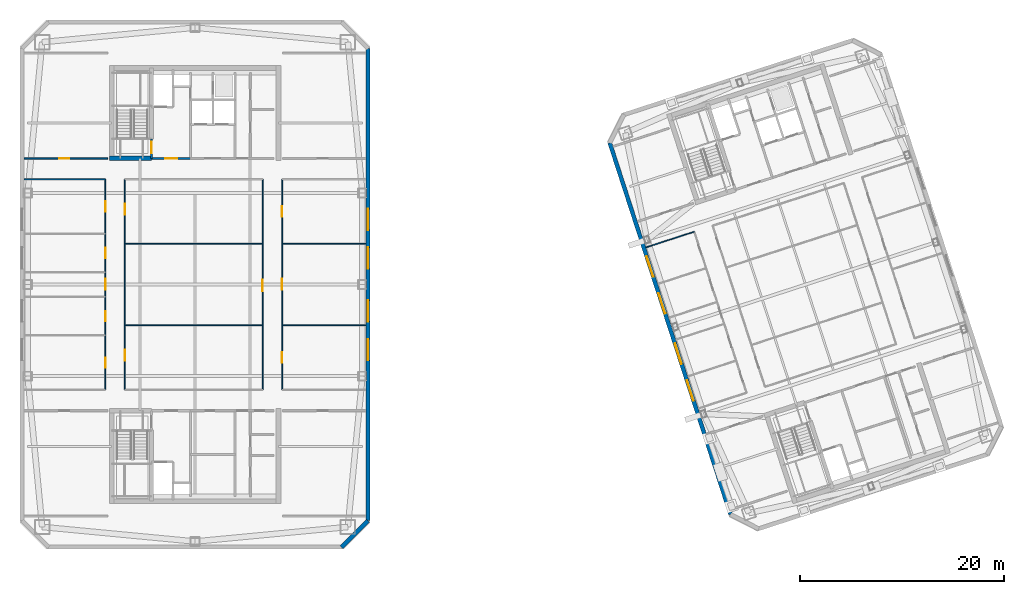
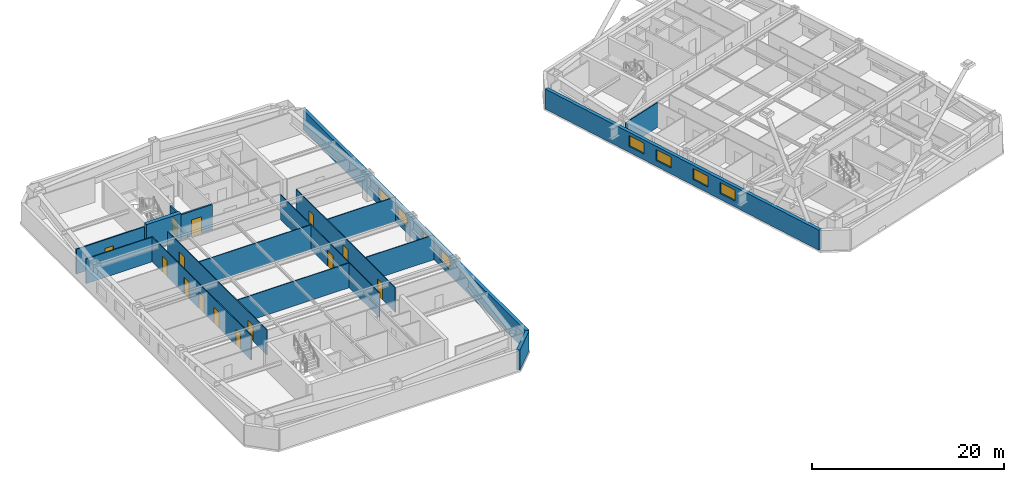
# One storey, part 7 of 15: 17 walls, 14 doors, 8 windows, 22 openings.
"""IFC4 building model written with IfcOpenShell, lengths in metres."""

from ifc_helpers import new_model, si_unit, direction, frame, frame_2d, origin, place, context, subcontext, project, spatial, rectangle, extrude, material, layer, layer_set, type_object, element, fill, save


model = new_model("IFC4")

# Units and contexts
model_context = context("Model", 3, precision=1e-05, world=origin(), true_north=direction((0.0, 1.0)))
body_context = subcontext(model_context, "Body", "Model", "MODEL_VIEW")
ifc_project = project(units=[si_unit("LENGTHUNIT", "METRE"), si_unit("AREAUNIT", "SQUARE_METRE"), si_unit("VOLUMEUNIT", "CUBIC_METRE"), si_unit("PLANEANGLEUNIT", "RADIAN"), si_unit("MASSUNIT", "GRAM", prefix="KILO")], contexts=[model_context])

# Site, building, storey
site_placement = place(None, origin())
site = spatial("IfcSite", under=ifc_project, at=site_placement, CompositionType="ELEMENT")
building_placement = place(site_placement, origin())
building = spatial("IfcBuilding", under=site, at=building_placement, Name="Qiaolan Cultural Towers", CompositionType="ELEMENT")
storey_placement = place(building_placement, frame((0.0, 0.0, 212.75)))
storey = spatial("IfcBuildingStorey", under=building, at=storey_placement, Name="L57", CompositionType="ELEMENT", Elevation=212.75)

# Wall
ifc_material_1 = material(Name="Concrete C50", Category="concrete")
ifc_layer_1 = layer(ifc_material_1, 0.449951171875)
ifc_layer_set_1 = layer_set([ifc_layer_1], Name="Concrete C50")
wall_type_1 = type_object("IfcWallType", Name="WL-CORE-450", PredefinedType="SHEAR", material=ifc_layer_set_1)
wall_1_placement = place(storey_placement, frame((21.574951171875, 46.39990234375, 0.0), z_axis=(0.0, 0.0, 1.0), x_axis=(1.0, 0.0, 0.0)))
element("IfcWall", 1, at=wall_1_placement, inside=storey, type_object=wall_type_1, Name="L57 T1-CN Stair Front Shear Wall", PredefinedType="SHEAR", context=body_context, shape_type="SweptSolid", body=[
    extrude(rectangle(XDim=4.14501953125, YDim=0.449951171875, at=frame_2d((2.072509765625, 0.0))), origin(), (0.0, 0.0, 1.0), 3.449951171875),
])

# Wall, openings, windows
ifc_material_2 = material(Name="Precast Concrete C50 Honed Stone Pier", Category="masonry")
ifc_layer_2 = layer(ifc_material_2, 0.39990234375)
ifc_layer_set_2 = layer_set([ifc_layer_2], Name="Precast Concrete C50 Honed Stone Pier")
wall_type_2 = type_object("IfcWallType", Name="WL-EXT-PIER-400", PredefinedType="SOLIDWALL", material=ifc_layer_set_2)
wall_2_placement = place(storey_placement, frame((47.0, 57.199951171875, 0.0), z_axis=(0.0, 0.0, 1.0), x_axis=(0.0, -1.0, 0.0)))
wall_2 = element("IfcWall", 2, at=wall_2_placement, inside=storey, type_object=wall_type_2, Name="L57 West Tower Precast Pier Facade Wall F5", PredefinedType="SOLIDWALL", context=body_context, shape_type="SweptSolid", body=[
    extrude(rectangle(XDim=46.39990234375, YDim=0.39990234375, at=frame_2d((23.199951171875, 0.0))), origin(), (0.0, 0.0, 1.0), 2.550048828125),
])
opening_1_placement = place(wall_2_placement, frame((28.550048828125, 0.0, 0.75)))
opening_1 = element("IfcOpeningElement", 3, at=opening_1_placement, cuts=wall_2, Name="Opening W-05", PredefinedType="OPENING", context=body_context, shape_type="SweptSolid", body=[
    extrude(rectangle(XDim=2.10009765625, YDim=1.39990234375, at=frame_2d((1.050048828125, 0.699951171875))), frame((0.0, 0.2099609375, 0.0), z_axis=(0.0, -1.0, 0.0), x_axis=(1.0, 0.0, 0.0)), (0.0, 0.0, 1.0), 0.419921875),
])
opening_2_placement = place(wall_2_placement, frame((24.75, 0.0, 0.75)))
opening_2 = element("IfcOpeningElement", 4, at=opening_2_placement, cuts=wall_2, Name="Opening W-05", PredefinedType="OPENING", context=body_context, shape_type="SweptSolid", body=[
    extrude(rectangle(XDim=2.10009765625, YDim=1.39990234375, at=frame_2d((1.050048828125, 0.699951171875))), frame((0.0, 0.2099609375, 0.0), z_axis=(0.0, -1.0, 0.0), x_axis=(1.0, 0.0, 0.0)), (0.0, 0.0, 1.0), 0.419921875),
])
opening_3_placement = place(wall_2_placement, frame((19.550048828125, 0.0, 0.75)))
opening_3 = element("IfcOpeningElement", 5, at=opening_3_placement, cuts=wall_2, Name="Opening W-05", PredefinedType="OPENING", context=body_context, shape_type="SweptSolid", body=[
    extrude(rectangle(XDim=2.10009765625, YDim=1.39990234375, at=frame_2d((1.050048828125, 0.699951171875))), frame((0.0, 0.2099609375, 0.0), z_axis=(0.0, -1.0, 0.0), x_axis=(1.0, 0.0, 0.0)), (0.0, 0.0, 1.0), 0.419921875),
])
opening_4_placement = place(wall_2_placement, frame((15.75, 0.0, 0.75)))
opening_4 = element("IfcOpeningElement", 6, at=opening_4_placement, cuts=wall_2, Name="Opening W-05", PredefinedType="OPENING", context=body_context, shape_type="SweptSolid", body=[
    extrude(rectangle(XDim=2.10009765625, YDim=1.39990234375, at=frame_2d((1.050048828125, 0.699951171875))), frame((0.0, 0.2099609375, 0.0), z_axis=(0.0, -1.0, 0.0), x_axis=(1.0, 0.0, 0.0)), (0.0, 0.0, 1.0), 0.419921875),
])
ifc_material_3 = material(Name="Thermally Broken Aluminium Triple Low-E Glazing", Category="aluminium")
window_type = type_object("IfcWindowType", Name="WN-CHIC-2100", PartitioningType="SINGLE_PANEL", PredefinedType="WINDOW", material=ifc_material_3)
window_1_placement = place(opening_1_placement, origin())
window_1 = element("IfcWindow", 7, at=window_1_placement, inside=storey, type_object=window_type, Name="L57 T1 E Chicago Bay Window 1", OverallHeight=1.39990234375, OverallWidth=2.10009765625, PartitioningType="TRIPLE_PANEL_VERTICAL", PredefinedType="WINDOW", context=body_context, shape_type="SweptSolid", body=[
    extrude(rectangle(XDim=2.10009765625, YDim=1.39990234375, at=frame_2d((1.050048828125, 0.699951171875))), frame((0.0, 0.030029296875, 0.0), z_axis=(0.0, -1.0, 0.0), x_axis=(1.0, 0.0, 0.0)), (0.0, 0.0, 1.0), 0.06005859375),
])
fill(opening_1, window_1)
window_2_placement = place(opening_2_placement, origin())
window_2 = element("IfcWindow", 8, at=window_2_placement, inside=storey, type_object=window_type, Name="L57 T1 E Chicago Bay Window 2", OverallHeight=1.39990234375, OverallWidth=2.10009765625, PartitioningType="TRIPLE_PANEL_VERTICAL", PredefinedType="WINDOW", context=body_context, shape_type="SweptSolid", body=[
    extrude(rectangle(XDim=2.10009765625, YDim=1.39990234375, at=frame_2d((1.050048828125, 0.699951171875))), frame((0.0, 0.030029296875, 0.0), z_axis=(0.0, -1.0, 0.0), x_axis=(1.0, 0.0, 0.0)), (0.0, 0.0, 1.0), 0.06005859375),
])
fill(opening_2, window_2)
window_3_placement = place(opening_3_placement, origin())
window_3 = element("IfcWindow", 9, at=window_3_placement, inside=storey, type_object=window_type, Name="L57 T1 E Chicago Bay Window 3", OverallHeight=1.39990234375, OverallWidth=2.10009765625, PartitioningType="TRIPLE_PANEL_VERTICAL", PredefinedType="WINDOW", context=body_context, shape_type="SweptSolid", body=[
    extrude(rectangle(XDim=2.10009765625, YDim=1.39990234375, at=frame_2d((1.050048828125, 0.699951171875))), frame((0.0, 0.030029296875, 0.0), z_axis=(0.0, -1.0, 0.0), x_axis=(1.0, 0.0, 0.0)), (0.0, 0.0, 1.0), 0.06005859375),
])
fill(opening_3, window_3)
window_4_placement = place(opening_4_placement, origin())
window_4 = element("IfcWindow", 10, at=window_4_placement, inside=storey, type_object=window_type, Name="L57 T1 E Chicago Bay Window 4", OverallHeight=1.39990234375, OverallWidth=2.10009765625, PartitioningType="TRIPLE_PANEL_VERTICAL", PredefinedType="WINDOW", context=body_context, shape_type="SweptSolid", body=[
    extrude(rectangle(XDim=2.10009765625, YDim=1.39990234375, at=frame_2d((1.050048828125, 0.699951171875))), frame((0.0, 0.030029296875, 0.0), z_axis=(0.0, -1.0, 0.0), x_axis=(1.0, 0.0, 0.0)), (0.0, 0.0, 1.0), 0.06005859375),
])
fill(opening_4, window_4)

# Wall
wall_3_placement = place(storey_placement, frame((47.0, 10.800048828125, 0.0), z_axis=(0.0, 0.0, 1.0), x_axis=(-0.707106781187, -0.707106781187, 0.0)))
element("IfcWall", 11, at=wall_3_placement, inside=storey, type_object=wall_type_2, Name="L57 West Tower Precast Pier Facade Wall F6", PredefinedType="SOLIDWALL", context=body_context, shape_type="SweptSolid", body=[
    extrude(rectangle(XDim=3.677001953125, YDim=0.39990234375, at=frame_2d((1.83837890625, 0.0))), origin(), (0.0, 0.0, 1.0), 2.550048828125),
])

# Wall, openings, windows
wall_4_placement = place(storey_placement, frame((82.618408203125, 11.41357421875, 0.0), z_axis=(0.0, 0.0, 1.0), x_axis=(-0.309016491071, 0.951056679828, 0.0)))
wall_4 = element("IfcWall", 12, at=wall_4_placement, inside=storey, type_object=wall_type_2, Name="L57 East Tower Precast Pier Facade Wall F1", PredefinedType="SOLIDWALL", context=body_context, shape_type="SweptSolid", body=[
    extrude(rectangle(XDim=38.39990234375, YDim=0.39990234375, at=frame_2d((19.199951171875, 0.0))), origin(), (0.0, 0.0, 1.0), 2.550048828125),
])
opening_5_placement = place(wall_4_placement, frame((11.75, 0.0, 0.75)))
opening_5 = element("IfcOpeningElement", 13, at=opening_5_placement, cuts=wall_4, Name="Opening W-05", PredefinedType="OPENING", context=body_context, shape_type="SweptSolid", body=[
    extrude(rectangle(XDim=2.10009765625, YDim=1.39990234375, at=frame_2d((1.050048828125, 0.699951171875))), frame((0.0, 0.2099609375, 0.0), z_axis=(0.0, -1.0, 0.0), x_axis=(1.0, 0.0, 0.0)), (0.0, 0.0, 1.0), 0.419921875),
])
opening_6_placement = place(wall_4_placement, frame((15.550048828125, 0.0, 0.75)))
opening_6 = element("IfcOpeningElement", 14, at=opening_6_placement, cuts=wall_4, Name="Opening W-05", PredefinedType="OPENING", context=body_context, shape_type="SweptSolid", body=[
    extrude(rectangle(XDim=2.10009765625, YDim=1.39990234375, at=frame_2d((1.050048828125, 0.699951171875))), frame((0.0, 0.2099609375, 0.0), z_axis=(0.0, -1.0, 0.0), x_axis=(1.0, 0.0, 0.0)), (0.0, 0.0, 1.0), 0.419921875),
])
opening_7_placement = place(wall_4_placement, frame((20.75, 0.0, 0.75)))
opening_7 = element("IfcOpeningElement", 15, at=opening_7_placement, cuts=wall_4, Name="Opening W-05", PredefinedType="OPENING", context=body_context, shape_type="SweptSolid", body=[
    extrude(rectangle(XDim=2.10009765625, YDim=1.39990234375, at=frame_2d((1.050048828125, 0.699951171875))), frame((0.0, 0.2099609375, 0.0), z_axis=(0.0, -1.0, 0.0), x_axis=(1.0, 0.0, 0.0)), (0.0, 0.0, 1.0), 0.419921875),
])
opening_8_placement = place(wall_4_placement, frame((24.550048828125, 0.0, 0.75)))
opening_8 = element("IfcOpeningElement", 16, at=opening_8_placement, cuts=wall_4, Name="Opening W-05", PredefinedType="OPENING", context=body_context, shape_type="SweptSolid", body=[
    extrude(rectangle(XDim=2.10009765625, YDim=1.39990234375, at=frame_2d((1.050048828125, 0.699951171875))), frame((0.0, 0.2099609375, 0.0), z_axis=(0.0, -1.0, 0.0), x_axis=(1.0, 0.0, 0.0)), (0.0, 0.0, 1.0), 0.419921875),
])
window_5_placement = place(opening_5_placement, origin())
window_5 = element("IfcWindow", 17, at=window_5_placement, inside=storey, type_object=window_type, Name="L57 T2 W Chicago Bay Window 1", OverallHeight=1.39990234375, OverallWidth=2.10009765625, PartitioningType="TRIPLE_PANEL_VERTICAL", PredefinedType="WINDOW", context=body_context, shape_type="SweptSolid", body=[
    extrude(rectangle(XDim=2.10009765625, YDim=1.39990234375, at=frame_2d((1.050048828125, 0.699951171875))), frame((0.0, 0.030029296875, 0.0), z_axis=(0.0, -1.0, 0.0), x_axis=(1.0, 0.0, 0.0)), (0.0, 0.0, 1.0), 0.06005859375),
])
fill(opening_5, window_5)
window_6_placement = place(opening_6_placement, origin())
window_6 = element("IfcWindow", 18, at=window_6_placement, inside=storey, type_object=window_type, Name="L57 T2 W Chicago Bay Window 2", OverallHeight=1.39990234375, OverallWidth=2.10009765625, PartitioningType="TRIPLE_PANEL_VERTICAL", PredefinedType="WINDOW", context=body_context, shape_type="SweptSolid", body=[
    extrude(rectangle(XDim=2.10009765625, YDim=1.39990234375, at=frame_2d((1.050048828125, 0.699951171875))), frame((0.0, 0.030029296875, 0.0), z_axis=(0.0, -1.0, 0.0), x_axis=(1.0, 0.0, 0.0)), (0.0, 0.0, 1.0), 0.06005859375),
])
fill(opening_6, window_6)
window_7_placement = place(opening_7_placement, origin())
window_7 = element("IfcWindow", 19, at=window_7_placement, inside=storey, type_object=window_type, Name="L57 T2 W Chicago Bay Window 3", OverallHeight=1.39990234375, OverallWidth=2.10009765625, PartitioningType="TRIPLE_PANEL_VERTICAL", PredefinedType="WINDOW", context=body_context, shape_type="SweptSolid", body=[
    extrude(rectangle(XDim=2.10009765625, YDim=1.39990234375, at=frame_2d((1.050048828125, 0.699951171875))), frame((0.0, 0.030029296875, 0.0), z_axis=(0.0, -1.0, 0.0), x_axis=(1.0, 0.0, 0.0)), (0.0, 0.0, 1.0), 0.06005859375),
])
fill(opening_7, window_7)
window_8_placement = place(opening_8_placement, origin())
window_8 = element("IfcWindow", 20, at=window_8_placement, inside=storey, type_object=window_type, Name="L57 T2 W Chicago Bay Window 4", OverallHeight=1.39990234375, OverallWidth=2.10009765625, PartitioningType="TRIPLE_PANEL_VERTICAL", PredefinedType="WINDOW", context=body_context, shape_type="SweptSolid", body=[
    extrude(rectangle(XDim=2.10009765625, YDim=1.39990234375, at=frame_2d((1.050048828125, 0.699951171875))), frame((0.0, 0.030029296875, 0.0), z_axis=(0.0, -1.0, 0.0), x_axis=(1.0, 0.0, 0.0)), (0.0, 0.0, 1.0), 0.06005859375),
])
fill(opening_8, window_8)

# Wall, opening, door
ifc_material_4 = material(Name="Concrete C35 Fire Wall", Category="concrete")
ifc_layer_3 = layer(ifc_material_4, 0.199951171875)
ifc_layer_set_3 = layer_set([ifc_layer_3], Name="Concrete C35 Fire Wall")
wall_type_3 = type_object("IfcWallType", Name="WL-FIRE-200", PredefinedType="PARTITIONING", material=ifc_layer_set_3)
wall_5_placement = place(storey_placement, frame((25.719970703125, 46.39990234375, 0.0), z_axis=(0.0, 0.0, 1.0), x_axis=(0.0, 1.0, 0.0)))
wall_5 = element("IfcWall", 21, at=wall_5_placement, inside=storey, type_object=wall_type_3, Name="L57 T1-CN Smokeproof Stair Entry Wall", PredefinedType="PARTITIONING", context=body_context, shape_type="SweptSolid", body=[
    extrude(rectangle(XDim=1.900146484375, YDim=0.199951171875, at=frame_2d((0.9501953125, 0.0))), origin(), (0.0, 0.0, 1.0), 3.155029296875),
])
opening_9_placement = place(wall_5_placement, frame((0.52001953125, 0.0, 0.0)))
opening_9 = element("IfcOpeningElement", 22, at=opening_9_placement, cuts=wall_5, Name="Opening FD-04", PredefinedType="OPENING", context=body_context, shape_type="SweptSolid", body=[
    extrude(rectangle(XDim=1.10009765625, YDim=2.050048828125, at=frame_2d((0.550048828125, 1.02490234375))), frame((0.0, 0.10986328125, 0.0), z_axis=(0.0, -1.0, 0.0), x_axis=(1.0, 0.0, 0.0)), (0.0, 0.0, 1.0), 0.219970703125),
])
ifc_material_5 = material(Name="Galvanized Steel Command Fire Door", Category="steel")
door_type_1 = type_object("IfcDoorType", Name="DR-FD90-1100", OperationType="NOTDEFINED", PredefinedType="DOOR", material=ifc_material_5)
door_1_placement = place(opening_9_placement, origin())
door_1 = element("IfcDoor", 23, at=door_1_placement, inside=storey, type_object=door_type_1, Name="L57 ST-W2 Smokeproof Stair Fire Door", OperationType="SINGLE_SWING_LEFT", OverallHeight=2.050048828125, OverallWidth=1.10009765625, PredefinedType="DOOR", context=body_context, shape_type="SweptSolid", body=[
    extrude(rectangle(XDim=1.10009765625, YDim=2.050048828125, at=frame_2d((0.550048828125, 1.02490234375))), frame((0.0, 0.02490234375, 0.0), z_axis=(0.0, -1.0, 0.0), x_axis=(1.0, 0.0, 0.0)), (0.0, 0.0, 1.0), 0.050048828125),
])
fill(opening_9, door_1)

wall_6_placement = place(storey_placement, frame((25.719970703125, 46.39990234375, 0.0), z_axis=(0.0, 0.0, 1.0), x_axis=(1.0, 0.0, 0.0)))
wall_6 = element("IfcWall", 24, at=wall_6_placement, inside=storey, type_object=wall_type_3, Name="L57 T1-CN Firefighting Lobby Front Wall", PredefinedType="PARTITIONING", context=body_context, shape_type="SweptSolid", body=[
    extrude(rectangle(XDim=3.830078125, YDim=0.199951171875, at=frame_2d((1.9150390625, 0.0))), origin(), (0.0, 0.0, 1.0), 3.155029296875),
])
opening_10_placement = place(wall_6_placement, frame((1.35009765625, 0.0, 0.0)))
opening_10 = element("IfcOpeningElement", 25, at=opening_10_placement, cuts=wall_6, Name="Opening FD-03", PredefinedType="OPENING", context=body_context, shape_type="SweptSolid", body=[
    extrude(rectangle(XDim=1.199951171875, YDim=2.050048828125, at=frame_2d((0.60009765625, 1.02490234375))), frame((0.0, 0.10986328125, 0.0), z_axis=(0.0, -1.0, 0.0), x_axis=(1.0, 0.0, 0.0)), (0.0, 0.0, 1.0), 0.219970703125),
])
ifc_material_6 = material(Name="Galvanized Steel Smokeproof Lobby Fire Door", Category="steel")
door_type_2 = type_object("IfcDoorType", Name="DR-FD90-1200", OperationType="NOTDEFINED", PredefinedType="DOOR", material=ifc_material_6)
door_2_placement = place(opening_10_placement, origin())
door_2 = element("IfcDoor", 26, at=door_2_placement, inside=storey, type_object=door_type_2, Name="L57 FFL-W2 Firefighting Lobby Fire Door", OperationType="SINGLE_SWING_LEFT", OverallHeight=2.050048828125, OverallWidth=1.199951171875, PredefinedType="DOOR", context=body_context, shape_type="SweptSolid", body=[
    extrude(rectangle(XDim=1.199951171875, YDim=2.050048828125, at=frame_2d((0.60009765625, 1.02490234375))), frame((0.0, 0.02490234375, 0.0), z_axis=(0.0, -1.0, 0.0), x_axis=(1.0, 0.0, 0.0)), (0.0, 0.0, 1.0), 0.050048828125),
])
fill(opening_10, door_2)

# Wall
ifc_material_7 = material(Name="Acoustic Double-Glazed Partition Frame", Category="glass")
ifc_layer_4 = layer(ifc_material_7, 0.10009765625)
ifc_layer_set_4 = layer_set([ifc_layer_4], Name="Acoustic Double-Glazed Partition Frame")
wall_type_4 = type_object("IfcWallType", Name="WL-GLAZED-100", PredefinedType="MOVABLE", material=ifc_layer_set_4)
wall_7_placement = place(storey_placement, frame((13.199951171875, 44.35009765625, 0.0), z_axis=(0.0, 0.0, 1.0), x_axis=(1.0, 0.0, 0.0)))
element("IfcWall", 27, at=wall_7_placement, inside=storey, type_object=wall_type_4, Name="L57 T1 Interior Wall", PredefinedType="MOVABLE", context=body_context, shape_type="SweptSolid", body=[
    extrude(rectangle(XDim=8.0, YDim=0.10009765625, at=frame_2d((4.0, 0.0))), origin(), (0.0, 0.0, 1.0), 3.155029296875),
])

# Wall, openings, doors
wall_8_placement = place(storey_placement, frame((21.199951171875, 23.64990234375, 0.0), z_axis=(0.0, 0.0, 1.0), x_axis=(0.0, 1.0, 0.0)))
wall_8 = element("IfcWall", 28, at=wall_8_placement, inside=storey, type_object=wall_type_4, Name="L57 T1 Interior Wall", PredefinedType="MOVABLE", context=body_context, shape_type="SweptSolid", body=[
    extrude(rectangle(XDim=20.7001953125, YDim=0.10009765625, at=frame_2d((10.35009765625, 0.0))), origin(), (0.0, 0.0, 1.0), 3.155029296875),
])
opening_11_placement = place(wall_8_placement, frame((2.175048828125, 0.0, 0.0)))
opening_11 = element("IfcOpeningElement", 29, at=opening_11_placement, cuts=wall_8, Name="Opening ID-04", PredefinedType="OPENING", context=body_context, shape_type="SweptSolid", body=[
    extrude(rectangle(XDim=1.0, YDim=2.050048828125, at=frame_2d((0.5, 1.02490234375))), frame((0.0, 0.06005859375, 0.0), z_axis=(0.0, -1.0, 0.0), x_axis=(1.0, 0.0, 0.0)), (0.0, 0.0, 1.0), 0.1201171875),
])
opening_12_placement = place(wall_8_placement, frame((6.75, 0.0, 0.0)))
opening_12 = element("IfcOpeningElement", 30, at=opening_12_placement, cuts=wall_8, Name="Opening ID-04", PredefinedType="OPENING", context=body_context, shape_type="SweptSolid", body=[
    extrude(rectangle(XDim=1.0, YDim=2.050048828125, at=frame_2d((0.5, 1.02490234375))), frame((0.0, 0.06005859375, 0.0), z_axis=(0.0, -1.0, 0.0), x_axis=(1.0, 0.0, 0.0)), (0.0, 0.0, 1.0), 0.1201171875),
])
opening_13_placement = place(wall_8_placement, frame((9.85009765625, 0.0, 0.0)))
opening_13 = element("IfcOpeningElement", 31, at=opening_13_placement, cuts=wall_8, Name="Opening ID-07", PredefinedType="OPENING", context=body_context, shape_type="SweptSolid", body=[
    extrude(rectangle(XDim=1.050048828125, YDim=2.050048828125, at=frame_2d((0.52490234375, 1.02490234375))), frame((0.0, 0.06005859375, 0.0), z_axis=(0.0, -1.0, 0.0), x_axis=(1.0, 0.0, 0.0)), (0.0, 0.0, 1.0), 0.1201171875),
])
opening_14_placement = place(wall_8_placement, frame((12.949951171875, 0.0, 0.0)))
opening_14 = element("IfcOpeningElement", 32, at=opening_14_placement, cuts=wall_8, Name="Opening ID-04", PredefinedType="OPENING", context=body_context, shape_type="SweptSolid", body=[
    extrude(rectangle(XDim=1.0, YDim=2.050048828125, at=frame_2d((0.5, 1.02490234375))), frame((0.0, 0.06005859375, 0.0), z_axis=(0.0, -1.0, 0.0), x_axis=(1.0, 0.0, 0.0)), (0.0, 0.0, 1.0), 0.1201171875),
])
opening_15_placement = place(wall_8_placement, frame((17.52490234375, 0.0, 0.0)))
opening_15 = element("IfcOpeningElement", 33, at=opening_15_placement, cuts=wall_8, Name="Opening ID-04", PredefinedType="OPENING", context=body_context, shape_type="SweptSolid", body=[
    extrude(rectangle(XDim=1.0, YDim=2.050048828125, at=frame_2d((0.5, 1.02490234375))), frame((0.0, 0.06005859375, 0.0), z_axis=(0.0, -1.0, 0.0), x_axis=(1.0, 0.0, 0.0)), (0.0, 0.0, 1.0), 0.1201171875),
])
ifc_material_8 = material(Name="Oak Veneer Acoustic Office Door", Category="timber")
door_type_3 = type_object("IfcDoorType", Name="DR-INT-1000", OperationType="NOTDEFINED", PredefinedType="DOOR", material=ifc_material_8)
door_3_placement = place(opening_11_placement, origin())
door_3 = element("IfcDoor", 34, at=door_3_placement, inside=storey, type_object=door_type_3, Name="L57 T1 Wellness & Meditation Room Door", OperationType="SINGLE_SWING_LEFT", OverallHeight=2.050048828125, OverallWidth=1.0, PredefinedType="DOOR", context=body_context, shape_type="SweptSolid", body=[
    extrude(rectangle(XDim=1.0, YDim=2.050048828125, at=frame_2d((0.5, 1.02490234375))), frame((0.0, 0.02490234375, 0.0), z_axis=(0.0, -1.0, 0.0), x_axis=(1.0, 0.0, 0.0)), (0.0, 0.0, 1.0), 0.050048828125),
])
fill(opening_11, door_3)
door_4_placement = place(opening_12_placement, origin())
door_4 = element("IfcDoor", 35, at=door_4_placement, inside=storey, type_object=door_type_3, Name="L57 T1 Wellness & Meditation Room Door", OperationType="SINGLE_SWING_RIGHT", OverallHeight=2.050048828125, OverallWidth=1.0, PredefinedType="DOOR", context=body_context, shape_type="SweptSolid", body=[
    extrude(rectangle(XDim=1.0, YDim=2.050048828125, at=frame_2d((0.5, 1.02490234375))), frame((0.0, 0.02490234375, 0.0), z_axis=(0.0, -1.0, 0.0), x_axis=(1.0, 0.0, 0.0)), (0.0, 0.0, 1.0), 0.050048828125),
])
fill(opening_12, door_4)
door_5_placement = place(opening_14_placement, origin())
door_5 = element("IfcDoor", 36, at=door_5_placement, inside=storey, type_object=door_type_3, Name="L57 T1 Tea Preparation Room Door", OperationType="SINGLE_SWING_RIGHT", OverallHeight=2.050048828125, OverallWidth=1.0, PredefinedType="DOOR", context=body_context, shape_type="SweptSolid", body=[
    extrude(rectangle(XDim=1.0, YDim=2.050048828125, at=frame_2d((0.5, 1.02490234375))), frame((0.0, 0.02490234375, 0.0), z_axis=(0.0, -1.0, 0.0), x_axis=(1.0, 0.0, 0.0)), (0.0, 0.0, 1.0), 0.050048828125),
])
fill(opening_14, door_5)
door_6_placement = place(opening_15_placement, origin())
door_6 = element("IfcDoor", 37, at=door_6_placement, inside=storey, type_object=door_type_3, Name="L57 T1 Quiet Lounge Door", OperationType="SINGLE_SWING_LEFT", OverallHeight=2.050048828125, OverallWidth=1.0, PredefinedType="DOOR", context=body_context, shape_type="SweptSolid", body=[
    extrude(rectangle(XDim=1.0, YDim=2.050048828125, at=frame_2d((0.5, 1.02490234375))), frame((0.0, 0.02490234375, 0.0), z_axis=(0.0, -1.0, 0.0), x_axis=(1.0, 0.0, 0.0)), (0.0, 0.0, 1.0), 0.050048828125),
])
fill(opening_15, door_6)
ifc_material_9 = material(Name="Oak Veneer Consultation Door", Category="timber")
door_type_4 = type_object("IfcDoorType", Name="DR-INT-1050", OperationType="NOTDEFINED", PredefinedType="DOOR", material=ifc_material_9)
door_7_placement = place(opening_13_placement, origin())
door_7 = element("IfcDoor", 38, at=door_7_placement, inside=storey, type_object=door_type_4, Name="L57 T1 Tea Preparation Room Door", OperationType="SINGLE_SWING_LEFT", OverallHeight=2.050048828125, OverallWidth=1.050048828125, PredefinedType="DOOR", context=body_context, shape_type="SweptSolid", body=[
    extrude(rectangle(XDim=1.050048828125, YDim=2.050048828125, at=frame_2d((0.52490234375, 1.02490234375))), frame((0.0, 0.02490234375, 0.0), z_axis=(0.0, -1.0, 0.0), x_axis=(1.0, 0.0, 0.0)), (0.0, 0.0, 1.0), 0.050048828125),
])
fill(opening_13, door_7)

wall_9_placement = place(storey_placement, frame((23.10009765625, 23.64990234375, 0.0), z_axis=(0.0, 0.0, 1.0), x_axis=(0.0, 1.0, 0.0)))
wall_9 = element("IfcWall", 39, at=wall_9_placement, inside=storey, type_object=wall_type_4, Name="L57 T1 Interior Wall", PredefinedType="MOVABLE", context=body_context, shape_type="SweptSolid", body=[
    extrude(rectangle(XDim=20.7001953125, YDim=0.10009765625, at=frame_2d((10.35009765625, 0.0))), origin(), (0.0, 0.0, 1.0), 3.155029296875),
])
opening_16_placement = place(wall_9_placement, frame((2.857421875, 0.0, 0.0)))
opening_16 = element("IfcOpeningElement", 40, at=opening_16_placement, cuts=wall_9, Name="Opening ID-03", PredefinedType="OPENING", context=body_context, shape_type="SweptSolid", body=[
    extrude(rectangle(XDim=1.10009765625, YDim=2.050048828125, at=frame_2d((0.550048828125, 1.02490234375))), frame((0.0, 0.06005859375, 0.0), z_axis=(0.0, -1.0, 0.0), x_axis=(1.0, 0.0, 0.0)), (0.0, 0.0, 1.0), 0.1201171875),
])
opening_17_placement = place(wall_9_placement, frame((17.20751953125, 0.0, 0.0)))
opening_17 = element("IfcOpeningElement", 41, at=opening_17_placement, cuts=wall_9, Name="Opening ID-03", PredefinedType="OPENING", context=body_context, shape_type="SweptSolid", body=[
    extrude(rectangle(XDim=1.10009765625, YDim=2.050048828125, at=frame_2d((0.550048828125, 1.02490234375))), frame((0.0, 0.06005859375, 0.0), z_axis=(0.0, -1.0, 0.0), x_axis=(1.0, 0.0, 0.0)), (0.0, 0.0, 1.0), 0.1201171875),
])
ifc_material_10 = material(Name="Oak Veneer Solid-Core Boardroom Door", Category="timber")
door_type_5 = type_object("IfcDoorType", Name="DR-INT-1100", OperationType="NOTDEFINED", PredefinedType="DOOR", material=ifc_material_10)
door_8_placement = place(opening_16_placement, origin())
door_8 = element("IfcDoor", 42, at=door_8_placement, inside=storey, type_object=door_type_5, Name="L57 T1 Central Boardroom Door", OperationType="SINGLE_SWING_LEFT", OverallHeight=2.050048828125, OverallWidth=1.10009765625, PredefinedType="DOOR", context=body_context, shape_type="SweptSolid", body=[
    extrude(rectangle(XDim=1.10009765625, YDim=2.050048828125, at=frame_2d((0.550048828125, 1.02490234375))), frame((0.0, 0.02490234375, 0.0), z_axis=(0.0, -1.0, 0.0), x_axis=(1.0, 0.0, 0.0)), (0.0, 0.0, 1.0), 0.050048828125),
])
fill(opening_16, door_8)
door_9_placement = place(opening_17_placement, origin())
door_9 = element("IfcDoor", 43, at=door_9_placement, inside=storey, type_object=door_type_5, Name="L57 T1 Central Archive Room Door", OperationType="SINGLE_SWING_RIGHT", OverallHeight=2.050048828125, OverallWidth=1.10009765625, PredefinedType="DOOR", context=body_context, shape_type="SweptSolid", body=[
    extrude(rectangle(XDim=1.10009765625, YDim=2.050048828125, at=frame_2d((0.550048828125, 1.02490234375))), frame((0.0, 0.02490234375, 0.0), z_axis=(0.0, -1.0, 0.0), x_axis=(1.0, 0.0, 0.0)), (0.0, 0.0, 1.0), 0.050048828125),
])
fill(opening_17, door_9)

# Wall, opening, door
wall_10_placement = place(storey_placement, frame((36.64990234375, 23.64990234375, 0.0), z_axis=(0.0, 0.0, 1.0), x_axis=(0.0, 1.0, 0.0)))
wall_10 = element("IfcWall", 44, at=wall_10_placement, inside=storey, type_object=wall_type_4, Name="L57 T1 Interior Wall", PredefinedType="MOVABLE", context=body_context, shape_type="SweptSolid", body=[
    extrude(rectangle(XDim=20.7001953125, YDim=0.10009765625, at=frame_2d((10.35009765625, 0.0))), origin(), (0.0, 0.0, 1.0), 3.155029296875),
])
opening_18_placement = place(wall_10_placement, frame((9.7099609375, 0.0, 0.0)))
opening_18 = element("IfcOpeningElement", 45, at=opening_18_placement, cuts=wall_10, Name="Opening ID-03", PredefinedType="OPENING", context=body_context, shape_type="SweptSolid", body=[
    extrude(rectangle(XDim=1.10009765625, YDim=2.050048828125, at=frame_2d((0.550048828125, 1.02490234375))), frame((0.0, 0.06005859375, 0.0), z_axis=(0.0, -1.0, 0.0), x_axis=(1.0, 0.0, 0.0)), (0.0, 0.0, 1.0), 0.1201171875),
])
door_10_placement = place(opening_18_placement, origin())
door_10 = element("IfcDoor", 46, at=door_10_placement, inside=storey, type_object=door_type_5, Name="L57 T1 Central Study Salon Door", OperationType="SINGLE_SWING_LEFT", OverallHeight=2.050048828125, OverallWidth=1.10009765625, PredefinedType="DOOR", context=body_context, shape_type="SweptSolid", body=[
    extrude(rectangle(XDim=1.10009765625, YDim=2.050048828125, at=frame_2d((0.550048828125, 1.02490234375))), frame((0.0, 0.02490234375, 0.0), z_axis=(0.0, -1.0, 0.0), x_axis=(1.0, 0.0, 0.0)), (0.0, 0.0, 1.0), 0.050048828125),
])
fill(opening_18, door_10)

# Wall, openings, doors
wall_11_placement = place(storey_placement, frame((38.550048828125, 23.64990234375, 0.0), z_axis=(0.0, 0.0, 1.0), x_axis=(0.0, 1.0, 0.0)))
wall_11 = element("IfcWall", 47, at=wall_11_placement, inside=storey, type_object=wall_type_4, Name="L57 T1 Interior Wall", PredefinedType="MOVABLE", context=body_context, shape_type="SweptSolid", body=[
    extrude(rectangle(XDim=20.7001953125, YDim=0.10009765625, at=frame_2d((10.35009765625, 0.0))), origin(), (0.0, 0.0, 1.0), 3.155029296875),
])
opening_19_placement = place(wall_11_placement, frame((2.675048828125, 0.0, 0.0)))
opening_19 = element("IfcOpeningElement", 48, at=opening_19_placement, cuts=wall_11, Name="Opening ID-04", PredefinedType="OPENING", context=body_context, shape_type="SweptSolid", body=[
    extrude(rectangle(XDim=1.0, YDim=2.050048828125, at=frame_2d((0.5, 1.02490234375))), frame((0.0, 0.06005859375, 0.0), z_axis=(0.0, -1.0, 0.0), x_axis=(1.0, 0.0, 0.0)), (0.0, 0.0, 1.0), 0.1201171875),
])
opening_20_placement = place(wall_11_placement, frame((9.85009765625, 0.0, 0.0)))
opening_20 = element("IfcOpeningElement", 49, at=opening_20_placement, cuts=wall_11, Name="Opening ID-07", PredefinedType="OPENING", context=body_context, shape_type="SweptSolid", body=[
    extrude(rectangle(XDim=1.050048828125, YDim=2.050048828125, at=frame_2d((0.52490234375, 1.02490234375))), frame((0.0, 0.06005859375, 0.0), z_axis=(0.0, -1.0, 0.0), x_axis=(1.0, 0.0, 0.0)), (0.0, 0.0, 1.0), 0.1201171875),
])
opening_21_placement = place(wall_11_placement, frame((17.02490234375, 0.0, 0.0)))
opening_21 = element("IfcOpeningElement", 50, at=opening_21_placement, cuts=wall_11, Name="Opening ID-04", PredefinedType="OPENING", context=body_context, shape_type="SweptSolid", body=[
    extrude(rectangle(XDim=1.0, YDim=2.050048828125, at=frame_2d((0.5, 1.02490234375))), frame((0.0, 0.06005859375, 0.0), z_axis=(0.0, -1.0, 0.0), x_axis=(1.0, 0.0, 0.0)), (0.0, 0.0, 1.0), 0.1201171875),
])
door_11_placement = place(opening_19_placement, origin())
door_11 = element("IfcDoor", 51, at=door_11_placement, inside=storey, type_object=door_type_3, Name="L57 T1 Research Director Office Door", OperationType="SINGLE_SWING_RIGHT", OverallHeight=2.050048828125, OverallWidth=1.0, PredefinedType="DOOR", context=body_context, shape_type="SweptSolid", body=[
    extrude(rectangle(XDim=1.0, YDim=2.050048828125, at=frame_2d((0.5, 1.02490234375))), frame((0.0, 0.02490234375, 0.0), z_axis=(0.0, -1.0, 0.0), x_axis=(1.0, 0.0, 0.0)), (0.0, 0.0, 1.0), 0.050048828125),
])
fill(opening_19, door_11)
door_12_placement = place(opening_21_placement, origin())
door_12 = element("IfcDoor", 52, at=door_12_placement, inside=storey, type_object=door_type_3, Name="L57 T1 Gallery Salon Door", OperationType="SINGLE_SWING_RIGHT", OverallHeight=2.050048828125, OverallWidth=1.0, PredefinedType="DOOR", context=body_context, shape_type="SweptSolid", body=[
    extrude(rectangle(XDim=1.0, YDim=2.050048828125, at=frame_2d((0.5, 1.02490234375))), frame((0.0, 0.02490234375, 0.0), z_axis=(0.0, -1.0, 0.0), x_axis=(1.0, 0.0, 0.0)), (0.0, 0.0, 1.0), 0.050048828125),
])
fill(opening_21, door_12)
door_13_placement = place(opening_20_placement, origin())
door_13 = element("IfcDoor", 53, at=door_13_placement, inside=storey, type_object=door_type_4, Name="L57 T1 Strategy Meeting Room Door", OperationType="SINGLE_SWING_LEFT", OverallHeight=2.050048828125, OverallWidth=1.050048828125, PredefinedType="DOOR", context=body_context, shape_type="SweptSolid", body=[
    extrude(rectangle(XDim=1.050048828125, YDim=2.050048828125, at=frame_2d((0.52490234375, 1.02490234375))), frame((0.0, 0.02490234375, 0.0), z_axis=(0.0, -1.0, 0.0), x_axis=(1.0, 0.0, 0.0)), (0.0, 0.0, 1.0), 0.050048828125),
])
fill(opening_20, door_13)

# Walls
for number, where, z_axis, x_axis, name in (
    (54, (23.10009765625, 30.0, 0.0), (0.0, 0.0, 1.0), (1.0, 0.0, 0.0), "L57 T1 Interior Wall"),
    (55, (23.10009765625, 38.0, 0.0), (0.0, 0.0, 1.0), (1.0, 0.0, 0.0), "L57 T1 Interior Wall"),
):
    element("IfcWall", number, at=place(storey_placement, frame(where, z_axis=z_axis, x_axis=x_axis)), inside=storey, type_object=wall_type_4, Name=name, PredefinedType="MOVABLE", context=body_context, shape_type="SweptSolid", body=[
        extrude(rectangle(XDim=13.5498046875, YDim=0.10009765625, at=frame_2d((6.77490234375, 0.0))), origin(), (0.0, 0.0, 1.0), 3.155029296875),
    ])
for number, where, z_axis, x_axis, name in (
    (56, (38.550048828125, 30.0, 0.0), (0.0, 0.0, 1.0), (1.0, 0.0, 0.0), "L57 T1 Interior Wall"),
    (57, (38.550048828125, 38.0, 0.0), (0.0, 0.0, 1.0), (1.0, 0.0, 0.0), "L57 T1 Interior Wall"),
):
    element("IfcWall", number, at=place(storey_placement, frame(where, z_axis=z_axis, x_axis=x_axis)), inside=storey, type_object=wall_type_4, Name=name, PredefinedType="MOVABLE", context=body_context, shape_type="SweptSolid", body=[
        extrude(rectangle(XDim=8.25, YDim=0.10009765625, at=frame_2d((4.125, 0.0))), origin(), (0.0, 0.0, 1.0), 3.155029296875),
    ])
wall_12_placement = place(storey_placement, frame((74.304443359375, 37.6484375, 0.0), z_axis=(0.0, 0.0, 1.0), x_axis=(0.951063130697, 0.308996636599, 0.0)))
element("IfcWall", 58, at=wall_12_placement, inside=storey, type_object=wall_type_4, Name="L57 T2 Interior Wall", PredefinedType="MOVABLE", context=body_context, shape_type="SweptSolid", body=[
    extrude(rectangle(XDim=4.999755859375, YDim=0.10009765625, at=frame_2d((2.5, 0.0))), origin(), (0.0, 0.0, 1.0), 3.155029296875),
])

# Wall, opening, door
ifc_material_11 = material(Name="Autoclaved Aerated Concrete Block B06", Category="concrete")
ifc_layer_5 = layer(ifc_material_11, 0.14990234375)
ifc_layer_set_5 = layer_set([ifc_layer_5], Name="Autoclaved Aerated Concrete Block B06")
wall_type_5 = type_object("IfcWallType", Name="WL-PART-150", PredefinedType="PARTITIONING", material=ifc_layer_set_5)
wall_13_placement = place(storey_placement, frame((13.199951171875, 46.39990234375, 0.0), z_axis=(0.0, 0.0, 1.0), x_axis=(1.0, 0.0, 0.0)))
wall_13 = element("IfcWall", 59, at=wall_13_placement, inside=storey, type_object=wall_type_5, Name="L57 T1 Flank Front FLK-NW", PredefinedType="PARTITIONING", context=body_context, shape_type="SweptSolid", body=[
    extrude(rectangle(XDim=8.199951171875, YDim=0.14990234375, at=frame_2d((4.10009765625, 0.0))), origin(), (0.0, 0.0, 1.0), 3.155029296875),
])
opening_22_placement = place(wall_13_placement, frame((3.444091796875, 0.0, 0.0)))
opening_22 = element("IfcOpeningElement", 60, at=opening_22_placement, cuts=wall_13, Name="Opening ID-04", PredefinedType="OPENING", context=body_context, shape_type="SweptSolid", body=[
    extrude(rectangle(XDim=1.0, YDim=2.050048828125, at=frame_2d((0.5, 1.02490234375))), frame((0.0, 0.0849609375, 0.0), z_axis=(0.0, -1.0, 0.0), x_axis=(1.0, 0.0, 0.0)), (0.0, 0.0, 1.0), 0.169921875),
])
door_14_placement = place(opening_22_placement, origin())
door_14 = element("IfcDoor", 61, at=door_14_placement, inside=storey, type_object=door_type_3, Name="L57 T1 Corner Studio Door", OperationType="SINGLE_SWING_LEFT", OverallHeight=2.050048828125, OverallWidth=1.0, PredefinedType="DOOR", context=body_context, shape_type="SweptSolid", body=[
    extrude(rectangle(XDim=1.0, YDim=2.050048828125, at=frame_2d((0.5, 1.02490234375))), frame((0.0, 0.02490234375, 0.0), z_axis=(0.0, -1.0, 0.0), x_axis=(1.0, 0.0, 0.0)), (0.0, 0.0, 1.0), 0.050048828125),
])
fill(opening_22, door_14)

save(model, "model.ifc")
